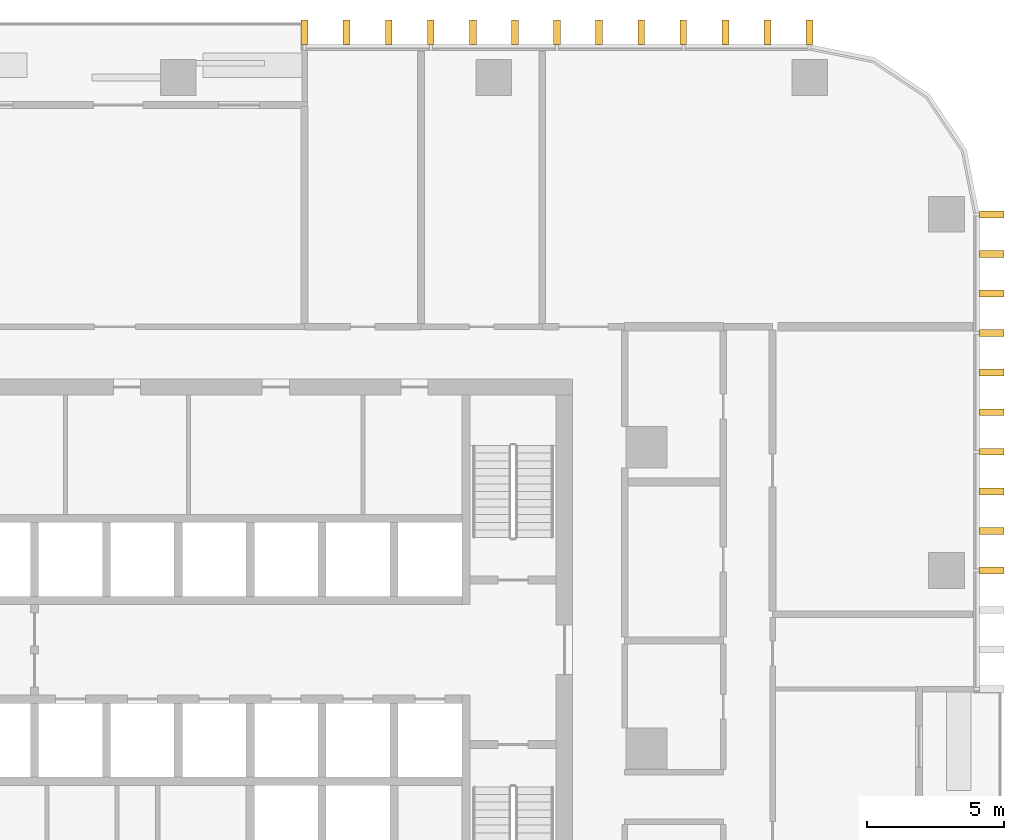
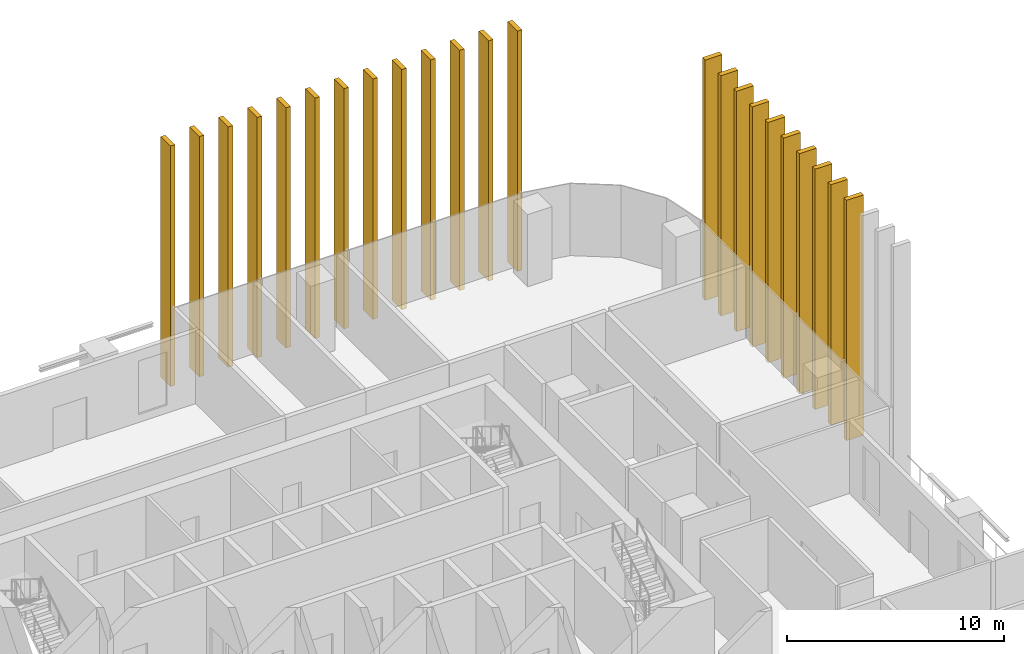
# One storey, part 17 of 17: 23 shading devices.
"""IFC4 building model written with IfcOpenShell, lengths in metres."""

from ifc_helpers import new_model, si_unit, direction, frame, origin, origin_2d, place, context, subcontext, project, spatial, rectangle, extrude, material, type_object, element, save


model = new_model("IFC4")

# Units and contexts
model_context = context("Model", 3, precision=1e-05, world=origin(), true_north=direction((0.0, 1.0)))
body_context = subcontext(model_context, "Body", "Model", "MODEL_VIEW")
ifc_project = project(units=[si_unit("LENGTHUNIT", "METRE"), si_unit("AREAUNIT", "SQUARE_METRE"), si_unit("VOLUMEUNIT", "CUBIC_METRE"), si_unit("PLANEANGLEUNIT", "RADIAN"), si_unit("MASSUNIT", "GRAM", prefix="KILO")], contexts=[model_context])

# Site, building, storey
site_placement = place(None, origin())
site = spatial("IfcSite", under=ifc_project, at=site_placement, CompositionType="ELEMENT")
building_placement = place(site_placement, origin())
building = spatial("IfcBuilding", under=site, at=building_placement, Name="Mopane Tessera Tower", CompositionType="ELEMENT")
storey_placement = place(building_placement, frame((0.0, 0.0, 121.60009765625)))
storey = spatial("IfcBuildingStorey", under=building, at=storey_placement, Name="L24", CompositionType="ELEMENT", Elevation=121.60009765625)

# Shading devices
ifc_material = material(Name="Glazed ceramic tile")
shading_device_type = type_object("IfcShadingDeviceType", Name="Ceramic tile fin 900 x 250 mm", PredefinedType="USERDEFINED", material=ifc_material)
for number, where, z_axis, x_axis, name in (
    (1, (29.699951171875, 6.5, -0.4501953125), (0.0, 0.0, 1.0), (0.0, 1.0, 0.0), "e:fin:L24:E:6:0"),
    (2, (29.699951171875, 7.9443359375, -0.4501953125), (0.0, 0.0, 1.0), (0.0, 1.0, 0.0), "e:fin:L24:E:6:1"),
    (3, (29.699951171875, 9.388916015625, -0.4501953125), (0.0, 0.0, 1.0), (0.0, 1.0, 0.0), "e:fin:L24:E:6:2"),
    (4, (29.699951171875, 10.833251953125, -0.4501953125), (0.0, 0.0, 1.0), (0.0, 1.0, 0.0), "e:fin:L24:E:7:0"),
    (5, (29.699951171875, 12.27783203125, -0.4501953125), (0.0, 0.0, 1.0), (0.0, 1.0, 0.0), "e:fin:L24:E:7:1"),
    (6, (29.699951171875, 13.72216796875, -0.4501953125), (0.0, 0.0, 1.0), (0.0, 1.0, 0.0), "e:fin:L24:E:7:2"),
    (7, (29.699951171875, 15.166748046875, -0.4501953125), (0.0, 0.0, 1.0), (0.0, 1.0, 0.0), "e:fin:L24:E:8:0"),
    (8, (29.699951171875, 16.611083984375, -0.4501953125), (0.0, 0.0, 1.0), (0.0, 1.0, 0.0), "e:fin:L24:E:8:1"),
    (9, (29.699951171875, 18.0556640625, -0.4501953125), (0.0, 0.0, 1.0), (0.0, 1.0, 0.0), "e:fin:L24:E:8:2"),
    (10, (29.699951171875, 19.5, -0.4501953125), (0.0, 0.0, 1.0), (0.0, 1.0, 0.0), "e:fin:L24:E:8:3"),
    (11, (23.050048828125, 26.14990234375, -0.4501953125), (0.0, 0.0, 1.0), (-1.0, 0.0, 0.0), "e:fin:L24:N:0:0"),
    (12, (21.513427734375, 26.14990234375, -0.4501953125), (0.0, 0.0, 1.0), (-1.0, 0.0, 0.0), "e:fin:L24:N:0:1"),
    (13, (19.9765625, 26.14990234375, -0.4501953125), (0.0, 0.0, 1.0), (-1.0, 0.0, 0.0), "e:fin:L24:N:0:2"),
    (14, (18.43994140625, 26.14990234375, -0.4501953125), (0.0, 0.0, 1.0), (-1.0, 0.0, 0.0), "e:fin:L24:N:1:0"),
    (15, (16.9033203125, 26.14990234375, -0.4501953125), (0.0, 0.0, 1.0), (-1.0, 0.0, 0.0), "e:fin:L24:N:1:1"),
    (16, (15.36669921875, 26.14990234375, -0.4501953125), (0.0, 0.0, 1.0), (-1.0, 0.0, 0.0), "e:fin:L24:N:1:2"),
    (17, (13.830078125, 26.14990234375, -0.4501953125), (0.0, 0.0, 1.0), (-1.0, 0.0, 0.0), "e:fin:L24:N:2:0"),
    (18, (12.293212890625, 26.14990234375, -0.4501953125), (0.0, 0.0, 1.0), (-1.0, 0.0, 0.0), "e:fin:L24:N:2:1"),
    (19, (10.756591796875, 26.14990234375, -0.4501953125), (0.0, 0.0, 1.0), (-1.0, 0.0, 0.0), "e:fin:L24:N:2:2"),
    (20, (9.219970703125, 26.14990234375, -0.4501953125), (0.0, 0.0, 1.0), (-1.0, 0.0, 0.0), "e:fin:L24:N:3:0"),
    (21, (7.683349609375, 26.14990234375, -0.4501953125), (0.0, 0.0, 1.0), (-1.0, 0.0, 0.0), "e:fin:L24:N:3:1"),
    (22, (6.146728515625, 26.14990234375, -0.4501953125), (0.0, 0.0, 1.0), (-1.0, 0.0, 0.0), "e:fin:L24:N:3:2"),
    (23, (4.610107421875, 26.14990234375, -0.4501953125), (0.0, 0.0, 1.0), (-1.0, 0.0, 0.0), "e:fin:L24:N:3:3"),
):
    element("IfcShadingDevice", number, at=place(storey_placement, frame(where, z_axis=z_axis, x_axis=x_axis)), inside=storey, type_object=shading_device_type, Name=name, ObjectType="FIN", PredefinedType="USERDEFINED", context=body_context, shape_type="SweptSolid", body=[
        extrude(rectangle(XDim=0.25, YDim=0.89990234375, at=origin_2d()), origin(), (0.0, 0.0, 1.0), 13.5),
    ])

save(model, "model.ifc")
